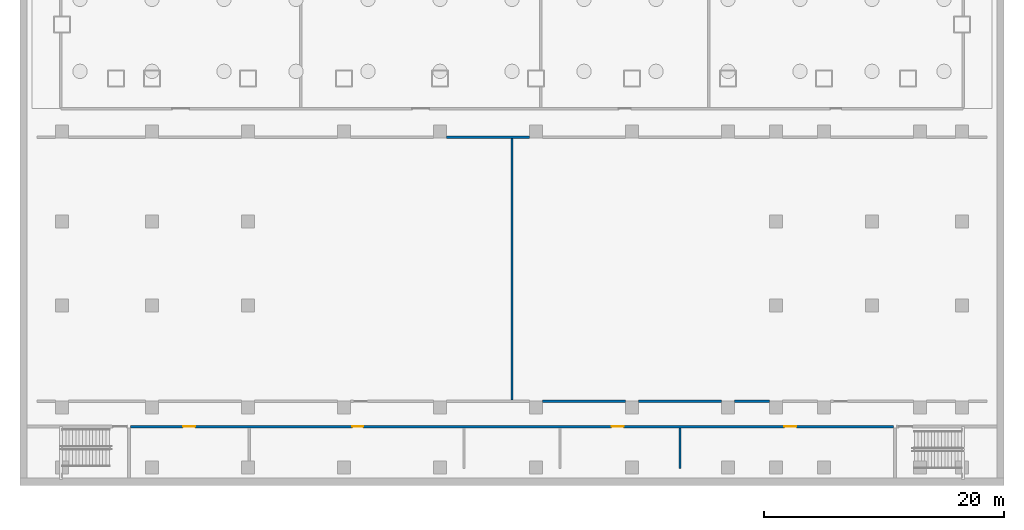
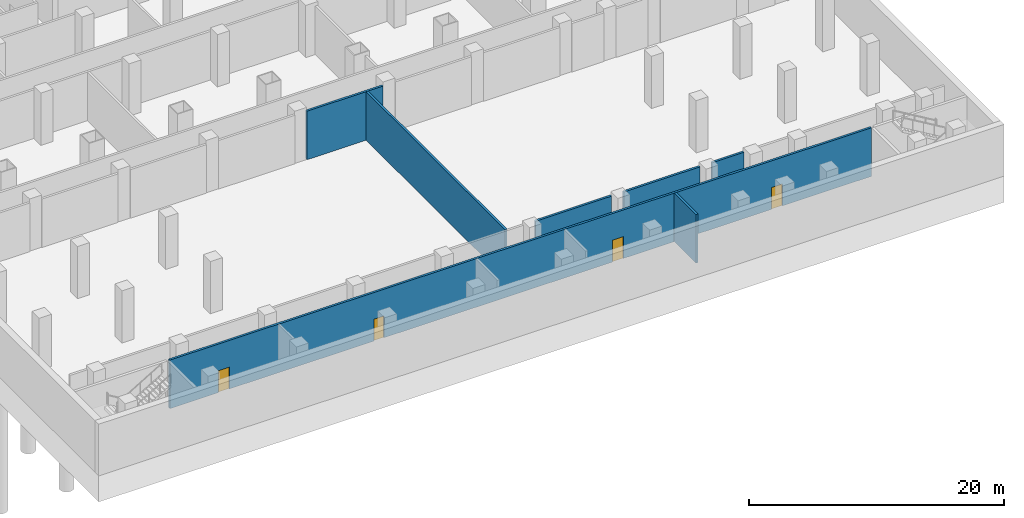
# One storey, part 4 of 14: 7 walls, 4 doors, 4 openings.
"""IFC4 building model written with IfcOpenShell, lengths in metres."""

from ifc_helpers import new_model, si_unit, direction, frame, frame_2d, origin, place, context, subcontext, project, spatial, rectangle, extrude, material, layer, layer_set, type_object, element, fill, save


model = new_model("IFC4")

# Units and contexts
model_context = context("Model", 3, precision=1e-05, world=origin(), true_north=direction((0.0, 1.0)))
body_context = subcontext(model_context, "Body", "Model", "MODEL_VIEW")
ifc_project = project(units=[si_unit("LENGTHUNIT", "METRE"), si_unit("AREAUNIT", "SQUARE_METRE"), si_unit("VOLUMEUNIT", "CUBIC_METRE"), si_unit("PLANEANGLEUNIT", "RADIAN"), si_unit("MASSUNIT", "GRAM", prefix="KILO")], contexts=[model_context])

# Site, building, storey
site_placement = place(None, origin())
site = spatial("IfcSite", under=ifc_project, at=site_placement, CompositionType="ELEMENT")
building_placement = place(site_placement, origin())
building = spatial("IfcBuilding", under=site, at=building_placement, Name="Vidyagriha Tower", CompositionType="ELEMENT")
storey_placement = place(building_placement, frame((0.0, 0.0, -10.0)))
storey = spatial("IfcBuildingStorey", under=building, at=storey_placement, Name="B2", CompositionType="ELEMENT", Elevation=-10.0)

# Wall, openings, doors
ifc_material_1 = material(Name="Fire rated gypsum board on light gauge framing")
ifc_layer = layer(ifc_material_1, 0.199951171875)
ifc_layer_set = layer_set([ifc_layer], Name="Fire rated gypsum board on light gauge framing")
wall_type = type_object("IfcWallType", Name="Fire Rated Corridor Wall 200", PredefinedType="PARTITIONING", material=ifc_layer_set)
wall_1_placement = place(storey_placement, frame((-31.77490234375, -46.10009765625, 0.0)))
wall_1 = element("IfcWall", 1, at=wall_1_placement, inside=storey, type_object=wall_type, Name="B2 Fire Rated Corridor Wall 200 000", PredefinedType="PARTITIONING", context=body_context, shape_type="SweptSolid", body=[
    extrude(rectangle(XDim=63.5498046875, YDim=0.199951171875, at=frame_2d((31.77490234375, 0.0))), origin(), (0.0, 0.0, 1.0), 4.64990234375),
])
opening_1_placement = place(wall_1_placement, frame((4.375, 0.0, 0.0)))
opening_1 = element("IfcOpeningElement", 2, at=opening_1_placement, cuts=wall_1, Name="Opening DB2-15", PredefinedType="OPENING", context=body_context, shape_type="SweptSolid", body=[
    extrude(rectangle(XDim=1.0, YDim=2.10009765625, at=frame_2d((0.5, 1.050048828125))), frame((0.0, 0.10986328125, 0.0), z_axis=(0.0, -1.0, 0.0), x_axis=(1.0, 0.0, 0.0)), (0.0, 0.0, 1.0), 0.219970703125),
])
opening_2_placement = place(wall_1_placement, frame((18.47509765625, 0.0, 0.0)))
opening_2 = element("IfcOpeningElement", 3, at=opening_2_placement, cuts=wall_1, Name="Opening DB2-16", PredefinedType="OPENING", context=body_context, shape_type="SweptSolid", body=[
    extrude(rectangle(XDim=0.89990234375, YDim=2.10009765625, at=frame_2d((0.449951171875, 1.050048828125))), frame((0.0, 0.10986328125, 0.0), z_axis=(0.0, -1.0, 0.0), x_axis=(1.0, 0.0, 0.0)), (0.0, 0.0, 1.0), 0.219970703125),
])
opening_3_placement = place(wall_1_placement, frame((40.074951171875, 0.0, 0.0)))
opening_3 = element("IfcOpeningElement", 4, at=opening_3_placement, cuts=wall_1, Name="Opening DB2-17", PredefinedType="OPENING", context=body_context, shape_type="SweptSolid", body=[
    extrude(rectangle(XDim=1.0, YDim=2.10009765625, at=frame_2d((0.5, 1.050048828125))), frame((0.0, 0.10986328125, 0.0), z_axis=(0.0, -1.0, 0.0), x_axis=(1.0, 0.0, 0.0)), (0.0, 0.0, 1.0), 0.219970703125),
])
opening_4_placement = place(wall_1_placement, frame((54.47509765625, 0.0, 0.0)))
opening_4 = element("IfcOpeningElement", 5, at=opening_4_placement, cuts=wall_1, Name="Opening DB2-18", PredefinedType="OPENING", context=body_context, shape_type="SweptSolid", body=[
    extrude(rectangle(XDim=1.0, YDim=2.10009765625, at=frame_2d((0.5, 1.050048828125))), frame((0.0, 0.10986328125, 0.0), z_axis=(0.0, -1.0, 0.0), x_axis=(1.0, 0.0, 0.0)), (0.0, 0.0, 1.0), 0.219970703125),
])
ifc_material_2 = material(Name="Steel fire door set", Category="steel")
door_type_1 = type_object("IfcDoorType", Name="Podium Door 1000x2100 EI 60", OperationType="NOTDEFINED", PredefinedType="DOOR", material=ifc_material_2)
door_1_placement = place(opening_1_placement, origin())
door_1 = element("IfcDoor", 6, at=door_1_placement, inside=storey, type_object=door_type_1, Name="B2 door DB2-15", OperationType="SINGLE_SWING_LEFT", OverallHeight=2.10009765625, OverallWidth=1.0, PredefinedType="DOOR", context=body_context, shape_type="SweptSolid", body=[
    extrude(rectangle(XDim=1.0, YDim=2.10009765625, at=frame_2d((0.5, 1.050048828125))), frame((0.0, 0.02490234375, 0.0), z_axis=(0.0, -1.0, 0.0), x_axis=(1.0, 0.0, 0.0)), (0.0, 0.0, 1.0), 0.050048828125),
])
fill(opening_1, door_1)
door_2_placement = place(opening_3_placement, origin())
door_2 = element("IfcDoor", 7, at=door_2_placement, inside=storey, type_object=door_type_1, Name="B2 door DB2-17", OperationType="SINGLE_SWING_RIGHT", OverallHeight=2.10009765625, OverallWidth=1.0, PredefinedType="DOOR", context=body_context, shape_type="SweptSolid", body=[
    extrude(rectangle(XDim=1.0, YDim=2.10009765625, at=frame_2d((0.5, 1.050048828125))), frame((0.0, 0.02490234375, 0.0), z_axis=(0.0, -1.0, 0.0), x_axis=(1.0, 0.0, 0.0)), (0.0, 0.0, 1.0), 0.050048828125),
])
fill(opening_3, door_2)
door_3_placement = place(opening_4_placement, origin())
door_3 = element("IfcDoor", 8, at=door_3_placement, inside=storey, type_object=door_type_1, Name="B2 door DB2-18", OperationType="SINGLE_SWING_RIGHT", OverallHeight=2.10009765625, OverallWidth=1.0, PredefinedType="DOOR", context=body_context, shape_type="SweptSolid", body=[
    extrude(rectangle(XDim=1.0, YDim=2.10009765625, at=frame_2d((0.5, 1.050048828125))), frame((0.0, 0.02490234375, 0.0), z_axis=(0.0, -1.0, 0.0), x_axis=(1.0, 0.0, 0.0)), (0.0, 0.0, 1.0), 0.050048828125),
])
fill(opening_4, door_3)
ifc_material_3 = material(Name="Steel fire door set", Category="steel")
door_type_2 = type_object("IfcDoorType", Name="Podium Door 900x2100 EI 60", OperationType="NOTDEFINED", PredefinedType="DOOR", material=ifc_material_3)
door_4_placement = place(opening_2_placement, frame((0.89990234375, 0.0, 0.0), z_axis=(0.0, 0.0, 1.0), x_axis=(-1.0, 0.0, 0.0)))
door_4 = element("IfcDoor", 9, at=door_4_placement, inside=storey, type_object=door_type_2, Name="B2 door DB2-16", OperationType="SINGLE_SWING_LEFT", OverallHeight=2.10009765625, OverallWidth=0.89990234375, PredefinedType="DOOR", context=body_context, shape_type="SweptSolid", body=[
    extrude(rectangle(XDim=0.89990234375, YDim=2.10009765625, at=frame_2d((0.449951171875, 1.050048828125))), frame((0.0, 0.02490234375, 0.0), z_axis=(0.0, -1.0, 0.0), x_axis=(1.0, 0.0, 0.0)), (0.0, 0.0, 1.0), 0.050048828125),
])
fill(opening_2, door_4)

# Walls
for number, where, name in (
    (10, (2.550048828125, -44.0, 0.0), "B2 Fire Rated Corridor Wall 200 009"),
    (11, (10.550048828125, -44.0, 0.0), "B2 Fire Rated Corridor Wall 200 010"),
):
    element("IfcWall", number, at=place(storey_placement, frame(where)), inside=storey, type_object=wall_type, Name=name, PredefinedType="PARTITIONING", context=body_context, shape_type="SweptSolid", body=[
        extrude(rectangle(XDim=6.89990234375, YDim=0.199951171875, at=frame_2d((3.449951171875, 0.0))), origin(), (0.0, 0.0, 1.0), 4.64990234375),
    ])
wall_2_placement = place(storey_placement, frame((18.550048828125, -44.0, 0.0)))
element("IfcWall", 12, at=wall_2_placement, inside=storey, type_object=wall_type, Name="B2 Fire Rated Corridor Wall 200 011", PredefinedType="PARTITIONING", context=body_context, shape_type="SweptSolid", body=[
    extrude(rectangle(XDim=2.89990234375, YDim=0.199951171875, at=frame_2d((1.449951171875, 0.0))), origin(), (0.0, 0.0, 1.0), 4.64990234375),
])
wall_3_placement = place(storey_placement, frame((-5.449951171875, -22.0, 0.0)))
element("IfcWall", 13, at=wall_3_placement, inside=storey, type_object=wall_type, Name="B2 Fire Rated Corridor Wall 200 021", PredefinedType="PARTITIONING", context=body_context, shape_type="SweptSolid", body=[
    extrude(rectangle(XDim=6.89990234375, YDim=0.199951171875, at=frame_2d((3.449951171875, 0.0))), origin(), (0.0, 0.0, 1.0), 4.64990234375),
])
wall_4_placement = place(storey_placement, frame((0.0, -43.89990234375, 0.0), z_axis=(0.0, 0.0, 1.0), x_axis=(0.0, 1.0, 0.0)))
element("IfcWall", 14, at=wall_4_placement, inside=storey, type_object=wall_type, Name="B2 Fire Rated Corridor Wall 200 073", PredefinedType="PARTITIONING", context=body_context, shape_type="SweptSolid", body=[
    extrude(rectangle(XDim=21.7998046875, YDim=0.199951171875, at=frame_2d((10.89990234375, 0.0))), origin(), (0.0, 0.0, 1.0), 4.64990234375),
])
wall_5_placement = place(storey_placement, frame((14.0, -49.60009765625, 0.0), z_axis=(0.0, 0.0, 1.0), x_axis=(0.0, 1.0, 0.0)))
element("IfcWall", 15, at=wall_5_placement, inside=storey, type_object=wall_type, Name="B2 Fire Rated Corridor Wall 200 078", PredefinedType="PARTITIONING", context=body_context, shape_type="SweptSolid", body=[
    extrude(rectangle(XDim=3.400146484375, YDim=0.199951171875, at=frame_2d((1.7001953125, 0.0))), origin(), (0.0, 0.0, 1.0), 4.64990234375),
])

save(model, "model.ifc")
